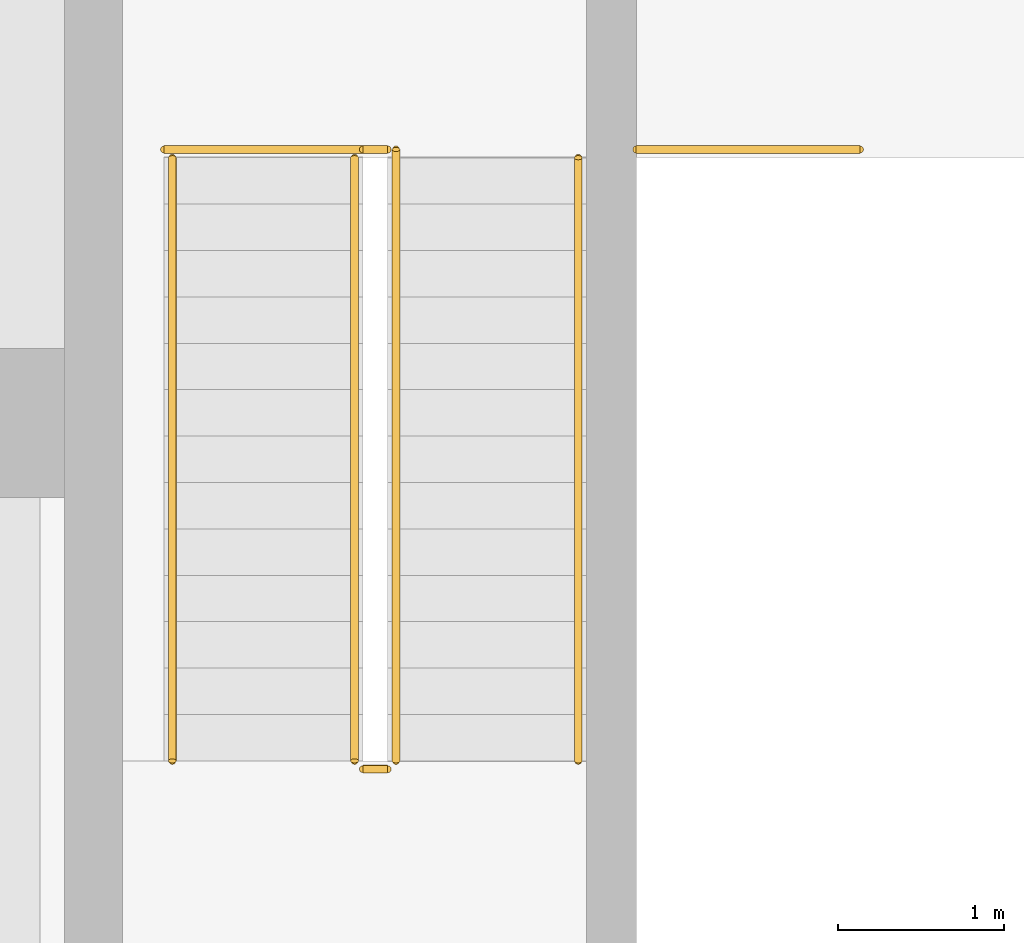
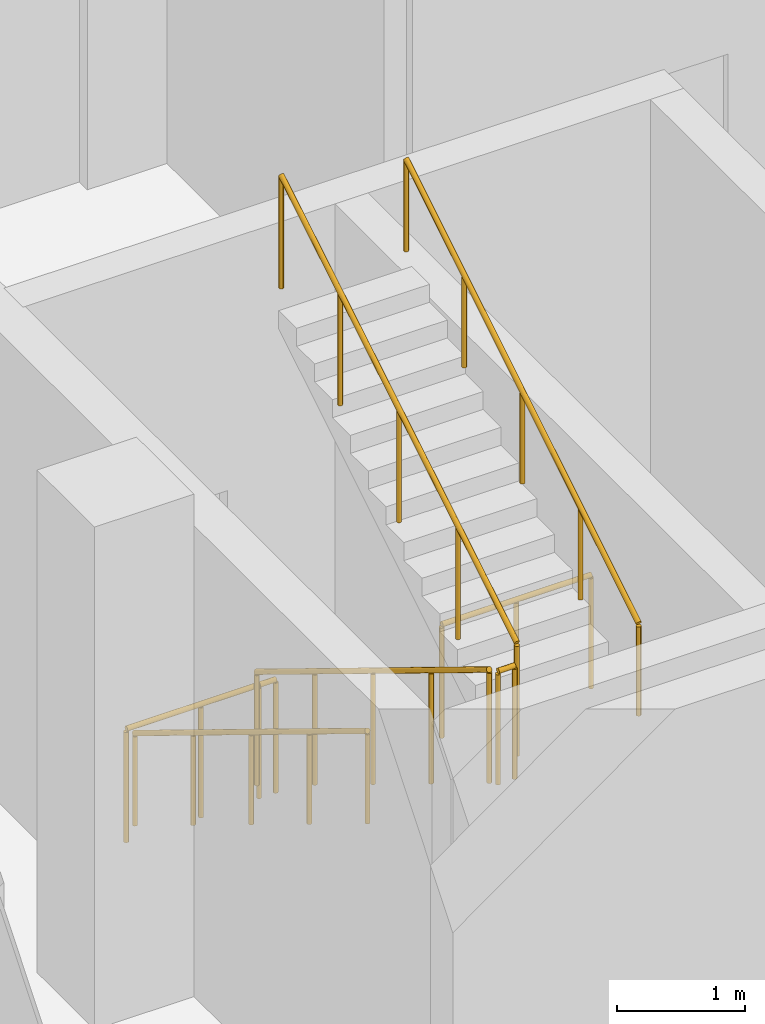
# One storey, part 22 of 23: 8 railings.
"""IFC4 building model written with IfcOpenShell, lengths in metres."""

import ifcopenshell
import ifcopenshell.guid

model = None  # the IFC model being written
_history = None  # IfcOwnerHistory: only IFC2X3 demands one
_inside = {}  # id of a spatial element -> (the spatial element, [elements in it])
_under = {}  # id of a project, library or spatial element -> (it, [spatial elements below it])
_declared = {}  # id of a project -> (the project, [libraries it declares])
_typed = {}  # id of a type object -> (the type object, [elements of that type])
_made_of = {}  # id of a material, layer set ... -> (it, [elements and type objects made of it])


def new_model(schema):
    """Start an empty IFC model of exactly this schema.

    Asked for "IFC4X3", IfcOpenShell would pick the latest addendum, in which some entities
    have other attributes; the version numbers below select the first issue.
    IFC2X3 requires an IfcOwnerHistory on every rooted entity: one is made here for all.
    """
    global model, _history
    if schema == "IFC4X3":
        model = ifcopenshell.file(schema_version=(4, 3, 0, 0))
    else:
        model = ifcopenshell.file(schema=schema)
    _inside.clear()
    _under.clear()
    _declared.clear()
    _typed.clear()
    _made_of.clear()
    _history = None
    if model.schema == "IFC2X3":
        org = make("IfcOrganization", Name="unknown")
        user = make(
            "IfcPersonAndOrganization",
            ThePerson=make("IfcPerson", FamilyName="unknown"),
            TheOrganization=org,
        )
        app = make(
            "IfcApplication",
            ApplicationDeveloper=org,
            Version="unknown",
            ApplicationFullName="unknown",
            ApplicationIdentifier="unknown",
        )
        _history = make(
            "IfcOwnerHistory",
            OwningUser=user,
            OwningApplication=app,
            ChangeAction="ADDED",
            CreationDate=0,
        )
    return model


def make(cls, **values):
    """One entity of the class cls with the attributes given. An attribute that is None is left unset."""
    return model.create_entity(
        cls, **{name: value for name, value in values.items() if value is not None}
    )


def rooted(cls, **values):
    """An entity with a GlobalId (a new one), such as an element, a storey or a relation."""
    return make(cls, GlobalId=ifcopenshell.guid.new(), OwnerHistory=_history, **values)


def si_unit(unit_type, name, prefix=None):
    """IfcSIUnit, for example si_unit("LENGTHUNIT", "METRE", prefix="MILLI")."""
    return make("IfcSIUnit", UnitType=unit_type, Prefix=prefix, Name=name)


def assignment(units):
    """IfcUnitAssignment: the units of a project."""
    return None if units is None else make("IfcUnitAssignment", Units=units)


def point(xyz):
    """IfcCartesianPoint."""
    return None if xyz is None else make("IfcCartesianPoint", Coordinates=xyz)


def direction(xyz):
    """IfcDirection."""
    return None if xyz is None else make("IfcDirection", DirectionRatios=xyz)


def frame(location, z_axis=None, x_axis=None):
    """IfcAxis2Placement3D, a coordinate frame: its origin and axes. An axis left out is left unset."""
    return make(
        "IfcAxis2Placement3D",
        Location=point(location),
        Axis=direction(z_axis),
        RefDirection=direction(x_axis),
    )


def frame_2d(location, x_axis=None):
    """IfcAxis2Placement2D, a coordinate frame in the plane: its origin and x axis."""
    return make(
        "IfcAxis2Placement2D", Location=point(location), RefDirection=direction(x_axis)
    )


def origin():
    """The frame at (0, 0, 0) with its axes left unset."""
    return frame((0.0, 0.0, 0.0))


def origin_2d():
    """The frame at (0, 0) in the plane with its x axis left unset."""
    return frame_2d((0.0, 0.0))


def place(relative_to, where):
    """IfcLocalPlacement: puts the frame where relative to a parent placement (None: the world)."""
    return make(
        "IfcLocalPlacement", PlacementRelTo=relative_to, RelativePlacement=where
    )


def context(
    kind, dimensions, precision=None, world=None, true_north=None, identifier=None
):
    """IfcGeometricRepresentationContext, for example the 3D "Model" context."""
    return make(
        "IfcGeometricRepresentationContext",
        ContextIdentifier=identifier,
        ContextType=kind,
        CoordinateSpaceDimension=dimensions,
        Precision=precision,
        WorldCoordinateSystem=world,
        TrueNorth=true_north,
    )


def subcontext(parent, identifier, kind, view, scale=None):
    """IfcGeometricRepresentationSubContext, for example "Body" below "Model"."""
    return make(
        "IfcGeometricRepresentationSubContext",
        ContextIdentifier=identifier,
        ContextType=kind,
        ParentContext=parent,
        TargetScale=scale,
        TargetView=view,
    )


def project(units=None, contexts=None):
    """IfcProject with its units and contexts."""
    return rooted(
        "IfcProject",
        Name="project",
        RepresentationContexts=contexts,
        UnitsInContext=assignment(units),
    )


def spatial(cls, under=None, at=None, **own):
    """A site, building, storey or space (cls), placed at a placement, below another one or the project."""
    s = rooted(cls, ObjectPlacement=at, **own)
    if under is not None:
        _under.setdefault(under.id(), (under, []))[1].append(s)
    return s


def profile(cls, at=None, kind="AREA", **sizes):
    """A parametric profile (cls). Its sizes go by their IFC names, for example OverallWidth=200.0."""
    return make(cls, ProfileType=kind, Position=at, **sizes)


def circle(**sizes):
    """IfcCircleProfileDef."""
    return profile("IfcCircleProfileDef", **sizes)


def extrude(swept, where, along, depth):
    """IfcExtrudedAreaSolid: the profile swept, set in the frame where, extruded along a direction by depth."""
    return make(
        "IfcExtrudedAreaSolid",
        SweptArea=swept,
        Position=where,
        ExtrudedDirection=direction(along),
        Depth=depth,
    )


def shape(context_of_items, identifier, shape_type, items):
    """IfcShapeRepresentation: the items that make up one representation, for example the "Body"."""
    return make(
        "IfcShapeRepresentation",
        ContextOfItems=context_of_items,
        RepresentationIdentifier=identifier,
        RepresentationType=shape_type,
        Items=items,
    )


def material(Name=None, Category=None):
    """IfcMaterial."""
    return make("IfcMaterial", Name=Name, Category=Category)


def made_of(thing, what):
    """Note that an element or type object is made of a material, layer set ...; save() writes the relation."""
    if what is not None:
        _made_of.setdefault(what.id(), (what, []))[1].append(thing)
    return thing


def type_object(cls, material=None, **own):
    """A type object (cls), such as IfcWallType, which elements share."""
    return made_of(rooted(cls, **own), material)


def element(
    cls,
    number,
    at=None,
    inside=None,
    cuts=None,
    type_object=None,
    material=None,
    context=None,
    identifier="Body",
    shape_type=None,
    held_by="IfcProductDefinitionShape",
    body=None,
    shapes=None,
    **own,
):
    """One element of the class cls, such as IfcWall. Its Tag is "e" and its number.

    at: its placement. inside: the storey or other place that contains it. cuts: it is an
    opening in that element (IfcRelVoidsElement). A single representation is given by context,
    identifier, shape_type and body (its items); several are given by shapes. held_by: the class
    of the entity that holds the representations. save() writes the other relations.
    """
    e = rooted(cls, Tag="e%d" % number, ObjectPlacement=at, **own)
    if body is not None:
        shapes = [shape(context, identifier, shape_type, body)]
    if shapes is not None:
        e.Representation = make(held_by, Representations=shapes)
    if inside is not None:
        _inside.setdefault(inside.id(), (inside, []))[1].append(e)
    if cuts is not None:
        rooted(
            "IfcRelVoidsElement", RelatingBuildingElement=cuts, RelatedOpeningElement=e
        )
    if type_object is not None:
        _typed.setdefault(type_object.id(), (type_object, []))[1].append(e)
    return made_of(e, material)


def aggregate(whole, parts):
    """IfcRelAggregates: a whole, such as a stair, and the parts it consists of."""
    return rooted("IfcRelAggregates", RelatingObject=whole, RelatedObjects=parts)


def save(model, path):
    """Write the relations noted so far, then the file.

    IfcRelAggregates (storeys below a building ...), IfcRelContainedInSpatialStructure (elements
    in a storey), IfcRelDefinesByType, IfcRelAssociatesMaterial and IfcRelDeclares: one each for
    every whole, place, type object, material and project.
    """
    for whole, parts in _under.values():
        aggregate(whole, parts)
    for where, things in _inside.values():
        rooted(
            "IfcRelContainedInSpatialStructure",
            RelatedElements=things,
            RelatingStructure=where,
        )
    for kind, things in _typed.values():
        rooted("IfcRelDefinesByType", RelatedObjects=things, RelatingType=kind)
    for what, things in _made_of.values():
        rooted("IfcRelAssociatesMaterial", RelatedObjects=things, RelatingMaterial=what)
    for by, libraries in _declared.values():
        rooted("IfcRelDeclares", RelatingContext=by, RelatedDefinitions=libraries)
    model.write(path)


model = new_model("IFC4")

# Units and contexts
model_context = context("Model", 3, precision=1e-05, world=origin(), true_north=direction((0.0, 1.0)))
body_context = subcontext(model_context, "Body", "Model", "MODEL_VIEW")
ifc_project = project(units=[si_unit("LENGTHUNIT", "METRE"), si_unit("AREAUNIT", "SQUARE_METRE"), si_unit("VOLUMEUNIT", "CUBIC_METRE"), si_unit("PLANEANGLEUNIT", "RADIAN"), si_unit("MASSUNIT", "GRAM", prefix="KILO")], contexts=[model_context])

# Site, building, storey
site_placement = place(None, origin())
site = spatial("IfcSite", under=ifc_project, at=site_placement, CompositionType="ELEMENT")
building_placement = place(site_placement, origin())
building = spatial("IfcBuilding", under=site, at=building_placement, Name="Plateau Cross Towers", CompositionType="ELEMENT")
storey_placement = place(building_placement, frame((0.0, 0.0, 123.800048828125)))
storey = spatial("IfcBuildingStorey", under=building, at=storey_placement, Name="L32", CompositionType="ELEMENT", Elevation=123.800048828125)

# Railings
ifc_material_1 = material(Name="Stainless steel and toughened glass", Category="steel")
railing_type_1 = type_object("IfcRailingType", Name="RL-GUARD-1100", PredefinedType="GUARDRAIL", material=ifc_material_1)
railing_1_placement = place(storey_placement, frame((75.60009765625, 6.14990234375, 0.0)))
element("IfcRailing", 1, at=railing_1_placement, inside=storey, type_object=railing_type_1, Name="L32 SB-1 top well guard 1", PredefinedType="GUARDRAIL", context=body_context, shape_type="SweptSolid", body=[
    extrude(circle(Radius=0.02392578125, at=origin_2d()), frame((0.0, 0.0, 1.076171875), z_axis=(1.0, 0.0, 0.0), x_axis=(0.0, 1.0, 0.0)), (0.0, 0.0, 1.0), 1.349853515625),
    extrude(circle(Radius=0.02099609375, at=origin_2d()), origin(), (0.0, 0.0, 1.0), 1.052001953125),
    extrude(circle(Radius=0.02099609375, at=origin_2d()), frame((0.6748046875, 0.0, 0.0)), (0.0, 0.0, 1.0), 1.052001953125),
    extrude(circle(Radius=0.02099609375, at=origin_2d()), frame((1.349853515625, 0.0, 0.0)), (0.0, 0.0, 1.0), 1.052001953125),
])
railing_2_placement = place(storey_placement, frame((78.449951171875, 6.14990234375, 0.0)))
element("IfcRailing", 2, at=railing_2_placement, inside=storey, type_object=railing_type_1, Name="L32 SB-2 top well guard 1", PredefinedType="GUARDRAIL", context=body_context, shape_type="SweptSolid", body=[
    extrude(circle(Radius=0.02392578125, at=origin_2d()), frame((0.0, 0.0, 1.076171875), z_axis=(1.0, 0.0, 0.0), x_axis=(0.0, 1.0, 0.0)), (0.0, 0.0, 1.0), 1.35009765625),
    extrude(circle(Radius=0.02099609375, at=origin_2d()), origin(), (0.0, 0.0, 1.0), 1.052001953125),
    extrude(circle(Radius=0.02099609375, at=origin_2d()), frame((0.675048828125, 0.0, 0.0)), (0.0, 0.0, 1.0), 1.052001953125),
    extrude(circle(Radius=0.02099609375, at=origin_2d()), frame((1.35009765625, 0.0, 0.0)), (0.0, 0.0, 1.0), 1.052001953125),
])
railing_3_placement = place(storey_placement, frame((76.75, 6.10009765625, 0.17138671875)))
element("IfcRailing", 3, at=railing_3_placement, inside=storey, type_object=railing_type_1, Name="L32 SB-1 stair guard 1", PredefinedType="GUARDRAIL", context=body_context, shape_type="SweptSolid", body=[
    extrude(circle(Radius=0.02392578125, at=origin_2d()), frame((0.0, 0.0, 1.076171875), z_axis=(0.0, -0.852865859571, 0.52213008492), x_axis=(1.0, 0.0, 0.0)), (0.0, 0.0, 1.0), 4.26806640625),
    extrude(circle(Radius=0.02099609375, at=origin_2d()), origin(), (0.0, 0.0, 1.0), 1.052001953125),
    extrude(circle(Radius=0.02099609375, at=origin_2d()), frame((0.0, -0.91015625, 0.55712890625)), (0.0, 0.0, 1.0), 1.052001953125),
    extrude(circle(Radius=0.02099609375, at=origin_2d()), frame((0.0, -1.820068359375, 1.1142578125)), (0.0, 0.0, 1.0), 1.052001953125),
    extrude(circle(Radius=0.02099609375, at=origin_2d()), frame((0.0, -2.72998046875, 1.67138671875)), (0.0, 0.0, 1.0), 1.052001953125),
    extrude(circle(Radius=0.02099609375, at=origin_2d()), frame((0.0, -3.64013671875, 2.228515625)), (0.0, 0.0, 1.0), 1.052001953125),
])
railing_4_placement = place(storey_placement, frame((76.800048828125, 2.409912109375, 2.39990234375)))
element("IfcRailing", 4, at=railing_4_placement, inside=storey, type_object=railing_type_1, Name="L32 SB-1 stair guard 2", PredefinedType="GUARDRAIL", context=body_context, shape_type="SweptSolid", body=[
    extrude(circle(Radius=0.02392578125, at=origin_2d()), frame((0.0, 0.0, 1.076171875), z_axis=(1.0, 0.0, 0.0), x_axis=(0.0, 1.0, 0.0)), (0.0, 0.0, 1.0), 0.14990234375),
    extrude(circle(Radius=0.02099609375, at=origin_2d()), origin(), (0.0, 0.0, 1.0), 1.052001953125),
    extrude(circle(Radius=0.02099609375, at=origin_2d()), frame((0.14990234375, 0.0, 0.0)), (0.0, 0.0, 1.0), 1.052001953125),
])
railing_5_placement = place(storey_placement, frame((77.0, 2.4599609375, 2.5712890625)))
element("IfcRailing", 5, at=railing_5_placement, inside=storey, type_object=railing_type_1, Name="L32 SB-1 stair guard 3", PredefinedType="GUARDRAIL", context=body_context, shape_type="SweptSolid", body=[
    extrude(circle(Radius=0.02392578125, at=origin_2d()), frame((0.0, 0.0, 1.076171875), z_axis=(0.0, 0.855975070114, 0.517017097729), x_axis=(-1.0, 0.0, 0.0)), (0.0, 0.0, 1.0), 4.310791015625),
    extrude(circle(Radius=0.02099609375, at=origin_2d()), origin(), (0.0, 0.0, 1.0), 1.052001953125),
    extrude(circle(Radius=0.02099609375, at=origin_2d()), frame((0.0, 0.92236328125, 0.55712890625)), (0.0, 0.0, 1.0), 1.052001953125),
    extrude(circle(Radius=0.02099609375, at=origin_2d()), frame((0.0, 1.844970703125, 1.1142578125)), (0.0, 0.0, 1.0), 1.052001953125),
    extrude(circle(Radius=0.02099609375, at=origin_2d()), frame((0.0, 2.767578125, 1.671630859375)), (0.0, 0.0, 1.0), 1.052001953125),
    extrude(circle(Radius=0.02099609375, at=origin_2d()), frame((0.0, 3.68994140625, 2.228759765625)), (0.0, 0.0, 1.0), 1.052001953125),
])
railing_6_placement = place(storey_placement, frame((76.800048828125, 6.14990234375, 0.0)))
element("IfcRailing", 6, at=railing_6_placement, inside=storey, type_object=railing_type_1, Name="L32 SB-1 stair guard 4", PredefinedType="GUARDRAIL", context=body_context, shape_type="SweptSolid", body=[
    extrude(circle(Radius=0.02392578125, at=origin_2d()), frame((0.0, 0.0, 1.076171875), z_axis=(1.0, 0.0, 0.0), x_axis=(0.0, 1.0, 0.0)), (0.0, 0.0, 1.0), 0.14990234375),
    extrude(circle(Radius=0.02099609375, at=origin_2d()), origin(), (0.0, 0.0, 1.0), 1.052001953125),
    extrude(circle(Radius=0.02099609375, at=origin_2d()), frame((0.14990234375, 0.0, 0.0)), (0.0, 0.0, 1.0), 1.052001953125),
])
ifc_material_2 = material(Name="Black anodised aluminium", Category="aluminium")
railing_type_2 = type_object("IfcRailingType", Name="RL-HANDRAIL-900", PredefinedType="HANDRAIL", material=ifc_material_2)
railing_7_placement = place(storey_placement, frame((75.64990234375, 6.10009765625, 0.17138671875)))
element("IfcRailing", 7, at=railing_7_placement, inside=storey, type_object=railing_type_2, Name="L32 SB-1 stair handrail 1", PredefinedType="HANDRAIL", context=body_context, shape_type="SweptSolid", body=[
    extrude(circle(Radius=0.02392578125, at=origin_2d()), frame((0.0, 0.0, 0.8759765625), z_axis=(0.0, -0.852865859571, 0.52213008492), x_axis=(1.0, 0.0, 0.0)), (0.0, 0.0, 1.0), 4.26806640625),
    extrude(circle(Radius=0.02099609375, at=origin_2d()), origin(), (0.0, 0.0, 1.0), 0.851806640625),
    extrude(circle(Radius=0.02099609375, at=origin_2d()), frame((0.0, -0.91015625, 0.55712890625)), (0.0, 0.0, 1.0), 0.851806640625),
    extrude(circle(Radius=0.02099609375, at=origin_2d()), frame((0.0, -1.820068359375, 1.1142578125)), (0.0, 0.0, 1.0), 0.851806640625),
    extrude(circle(Radius=0.02099609375, at=origin_2d()), frame((0.0, -2.72998046875, 1.67138671875)), (0.0, 0.0, 1.0), 0.851806640625),
    extrude(circle(Radius=0.02099609375, at=origin_2d()), frame((0.0, -3.64013671875, 2.228515625)), (0.0, 0.0, 1.0), 0.851806640625),
])
railing_8_placement = place(storey_placement, frame((78.10009765625, 2.4599609375, 2.5712890625)))
element("IfcRailing", 8, at=railing_8_placement, inside=storey, type_object=railing_type_2, Name="L32 SB-1 stair handrail 2", PredefinedType="HANDRAIL", context=body_context, shape_type="SweptSolid", body=[
    extrude(circle(Radius=0.02392578125, at=origin_2d()), frame((0.0, 0.0, 0.8759765625), z_axis=(0.0, 0.852840387347, 0.522171689878), x_axis=(-1.0, 0.0, 0.0)), (0.0, 0.0, 1.0), 4.268310546875),
    extrude(circle(Radius=0.02099609375, at=origin_2d()), origin(), (0.0, 0.0, 1.0), 0.851806640625),
    extrude(circle(Radius=0.02099609375, at=origin_2d()), frame((0.0, 0.91015625, 0.55712890625)), (0.0, 0.0, 1.0), 0.851806640625),
    extrude(circle(Radius=0.02099609375, at=origin_2d()), frame((0.0, 1.820068359375, 1.1142578125)), (0.0, 0.0, 1.0), 0.851806640625),
    extrude(circle(Radius=0.02099609375, at=origin_2d()), frame((0.0, 2.72998046875, 1.671630859375)), (0.0, 0.0, 1.0), 0.851806640625),
    extrude(circle(Radius=0.02099609375, at=origin_2d()), frame((0.0, 3.64013671875, 2.228759765625)), (0.0, 0.0, 1.0), 0.851806640625),
])

save(model, "model.ifc")
